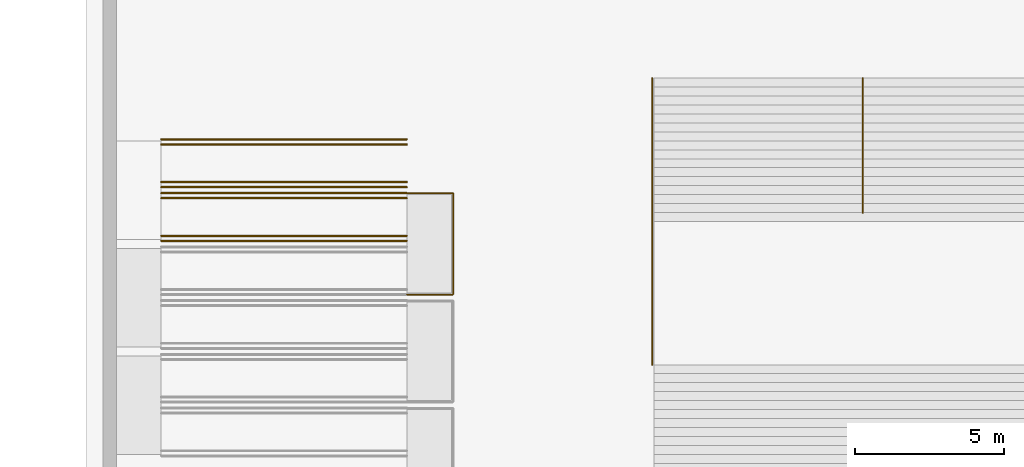
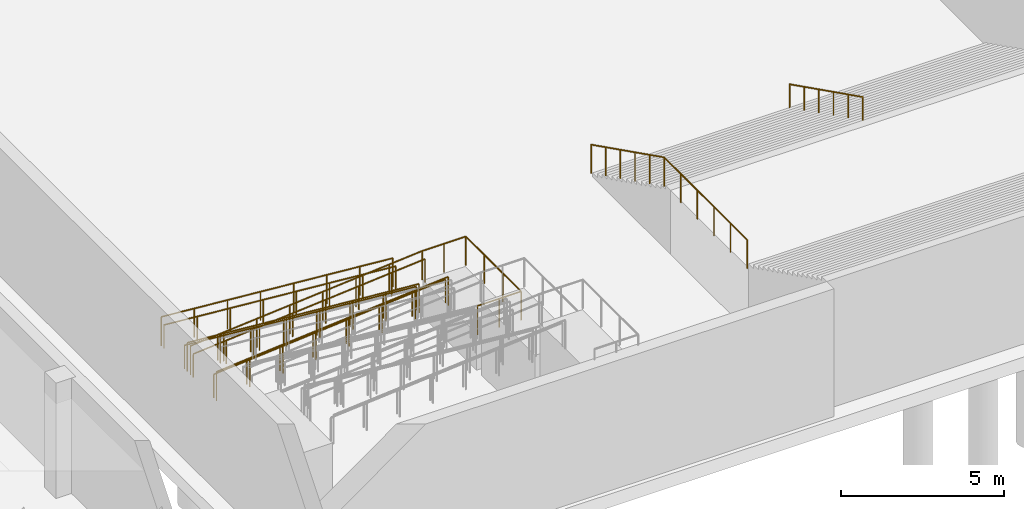
# One storey, part 12 of 21: 12 railings.
"""IFC4 building model written with IfcOpenShell, lengths in metres."""

from ifc_helpers import new_model, si_unit, direction, frame, origin, origin_2d, place, context, subcontext, project, spatial, circle, extrude, material, type_object, element, save


model = new_model("IFC4")

# Units and contexts
model_context = context("Model", 3, precision=1e-05, world=origin(), true_north=direction((0.0, 1.0)))
body_context = subcontext(model_context, "Body", "Model", "MODEL_VIEW")
ifc_project = project(units=[si_unit("LENGTHUNIT", "METRE"), si_unit("AREAUNIT", "SQUARE_METRE"), si_unit("VOLUMEUNIT", "CUBIC_METRE"), si_unit("PLANEANGLEUNIT", "RADIAN"), si_unit("MASSUNIT", "GRAM", prefix="KILO")], contexts=[model_context])

# Site, building, storey
site_placement = place(None, origin())
site = spatial("IfcSite", under=ifc_project, at=site_placement, CompositionType="ELEMENT")
building_placement = place(site_placement, origin())
building = spatial("IfcBuilding", under=site, at=building_placement, Name="Lantern Court Media Centre", CompositionType="ELEMENT")
storey_placement = place(building_placement, frame((0.0, 0.0, -4.800048828125)))
storey = spatial("IfcBuildingStorey", under=building, at=storey_placement, Name="B1", CompositionType="ELEMENT", Elevation=-4.800048828125)

# Railings
ifc_material = material(Name="Steel, galvanised", Category="steel")
railing_type_1 = type_object("IfcRailingType", Name="Forecourt guard 1100", PredefinedType="GUARDRAIL", material=ifc_material)
railing_1_placement = place(storey_placement, frame((53.949951171875, 22.39990234375, 0.150146484375)))
element("IfcRailing", 1, at=railing_1_placement, inside=storey, type_object=railing_type_1, Name="Steps guard, lower flight", PredefinedType="GUARDRAIL", context=body_context, shape_type="SweptSolid", body=[
    extrude(circle(Radius=0.02392578125, at=origin_2d()), frame((0.0, 0.0, 1.076171875), z_axis=(0.0, -0.894427191, 0.4472135955), x_axis=(1.0, 0.0, 0.0)), (0.0, 0.0, 1.0), 5.03125),
    extrude(circle(Radius=0.02099609375, at=origin_2d()), origin(), (0.0, 0.0, 1.0), 1.052001953125),
    extrude(circle(Radius=0.02099609375, at=origin_2d()), frame((0.0, -0.89990234375, 0.449951171875)), (0.0, 0.0, 1.0), 1.052001953125),
    extrude(circle(Radius=0.02099609375, at=origin_2d()), frame((0.0, -1.800048828125, 0.89990234375)), (0.0, 0.0, 1.0), 1.052001953125),
    extrude(circle(Radius=0.02099609375, at=origin_2d()), frame((0.0, -2.699951171875, 1.35009765625)), (0.0, 0.0, 1.0), 1.052001953125),
    extrude(circle(Radius=0.02099609375, at=origin_2d()), frame((0.0, -3.60009765625, 1.800048828125)), (0.0, 0.0, 1.0), 1.052001953125),
    extrude(circle(Radius=0.02099609375, at=origin_2d()), frame((0.0, -4.5, 2.25)), (0.0, 0.0, 1.0), 1.052001953125),
])
railing_2_placement = place(storey_placement, frame((53.949951171875, 17.89990234375, 2.400146484375)))
element("IfcRailing", 2, at=railing_2_placement, inside=storey, type_object=railing_type_1, Name="Steps guard, landing", PredefinedType="GUARDRAIL", context=body_context, shape_type="SweptSolid", body=[
    extrude(circle(Radius=0.02392578125, at=origin_2d()), frame((0.0, 0.0, 1.076171875), z_axis=(0.0, -1.0, 0.0), x_axis=(1.0, 0.0, 0.0)), (0.0, 0.0, 1.0), 5.099853515625),
    extrude(circle(Radius=0.02099609375, at=origin_2d()), origin(), (0.0, 0.0, 1.0), 1.052001953125),
    extrude(circle(Radius=0.02099609375, at=origin_2d()), frame((0.0, -1.02001953125, 0.0)), (0.0, 0.0, 1.0), 1.052001953125),
    extrude(circle(Radius=0.02099609375, at=origin_2d()), frame((0.0, -2.0400390625, 0.0)), (0.0, 0.0, 1.0), 1.052001953125),
    extrude(circle(Radius=0.02099609375, at=origin_2d()), frame((0.0, -3.059814453125, 0.0)), (0.0, 0.0, 1.0), 1.052001953125),
    extrude(circle(Radius=0.02099609375, at=origin_2d()), frame((0.0, -4.079833984375, 0.0)), (0.0, 0.0, 1.0), 1.052001953125),
    extrude(circle(Radius=0.02099609375, at=origin_2d()), frame((0.0, -5.099853515625, 0.0)), (0.0, 0.0, 1.0), 1.052001953125),
])
for number, where, name in (
    (3, (45.728515625, 16.949951171875, 1.371337890625), "Ramp 6 guard S"),
    (4, (45.728515625, 18.550048828125, 1.371337890625), "Ramp 6 guard N"),
):
    element("IfcRailing", number, at=place(storey_placement, frame(where)), inside=storey, type_object=railing_type_1, Name=name, PredefinedType="GUARDRAIL", context=body_context, shape_type="SweptSolid", body=[
        extrude(circle(Radius=0.02392578125, at=origin_2d()), frame((0.0, 0.0, 1.076171875), z_axis=(-0.99654738937, 0.0, -0.083025904028), x_axis=(0.0, -1.0, 0.0)), (0.0, 0.0, 1.0), 8.257080078125),
        extrude(circle(Radius=0.02099609375, at=origin_2d()), origin(), (0.0, 0.0, 1.0), 1.052001953125),
        extrude(circle(Radius=0.02099609375, at=origin_2d()), frame((-1.175537109375, 0.0, -0.097900390625)), (0.0, 0.0, 1.0), 1.052001953125),
        extrude(circle(Radius=0.02099609375, at=origin_2d()), frame((-2.35107421875, 0.0, -0.19580078125)), (0.0, 0.0, 1.0), 1.052001953125),
        extrude(circle(Radius=0.02099609375, at=origin_2d()), frame((-3.526611328125, 0.0, -0.293701171875)), (0.0, 0.0, 1.0), 1.052001953125),
        extrude(circle(Radius=0.02099609375, at=origin_2d()), frame((-4.701904296875, 0.0, -0.391845703125)), (0.0, 0.0, 1.0), 1.052001953125),
        extrude(circle(Radius=0.02099609375, at=origin_2d()), frame((-5.87744140625, 0.0, -0.48974609375)), (0.0, 0.0, 1.0), 1.052001953125),
        extrude(circle(Radius=0.02099609375, at=origin_2d()), frame((-7.052978515625, 0.0, -0.587646484375)), (0.0, 0.0, 1.0), 1.052001953125),
        extrude(circle(Radius=0.02099609375, at=origin_2d()), frame((-8.228515625, 0.0, -0.685546875)), (0.0, 0.0, 1.0), 1.052001953125),
    ])
for number, where, name in (
    (5, (37.5, 18.75, 0.685791015625), "Ramp 7 guard S"),
    (6, (37.5, 20.35009765625, 0.685791015625), "Ramp 7 guard N"),
):
    element("IfcRailing", number, at=place(storey_placement, frame(where)), inside=storey, type_object=railing_type_1, Name=name, PredefinedType="GUARDRAIL", context=body_context, shape_type="SweptSolid", body=[
        extrude(circle(Radius=0.02392578125, at=origin_2d()), frame((0.0, 0.0, 1.076171875), z_axis=(0.996644562738, 0.0, -0.081851179375), x_axis=(0.0, 1.0, 0.0)), (0.0, 0.0, 1.0), 8.256103515625),
        extrude(circle(Radius=0.02099609375, at=origin_2d()), origin(), (0.0, 0.0, 1.0), 1.052001953125),
        extrude(circle(Radius=0.02099609375, at=origin_2d()), frame((1.175537109375, 0.0, -0.096435546875)), (0.0, 0.0, 1.0), 1.052001953125),
        extrude(circle(Radius=0.02099609375, at=origin_2d()), frame((2.35107421875, 0.0, -0.193115234375)), (0.0, 0.0, 1.0), 1.052001953125),
        extrude(circle(Radius=0.02099609375, at=origin_2d()), frame((3.526611328125, 0.0, -0.28955078125)), (0.0, 0.0, 1.0), 1.052001953125),
        extrude(circle(Radius=0.02099609375, at=origin_2d()), frame((4.701904296875, 0.0, -0.38623046875)), (0.0, 0.0, 1.0), 1.052001953125),
        extrude(circle(Radius=0.02099609375, at=origin_2d()), frame((5.87744140625, 0.0, -0.482666015625)), (0.0, 0.0, 1.0), 1.052001953125),
        extrude(circle(Radius=0.02099609375, at=origin_2d()), frame((7.052978515625, 0.0, -0.579345703125)), (0.0, 0.0, 1.0), 1.052001953125),
        extrude(circle(Radius=0.02099609375, at=origin_2d()), frame((8.228515625, 0.0, -0.67578125)), (0.0, 0.0, 1.0), 1.052001953125),
    ])
railing_3_placement = place(storey_placement, frame((45.728515625, 15.14990234375, 1.371337890625)))
element("IfcRailing", 7, at=railing_3_placement, inside=storey, type_object=railing_type_1, Name="Ramp landing L5 guard", PredefinedType="GUARDRAIL", context=body_context, shape_type="SweptSolid", body=[
    extrude(circle(Radius=0.02392578125, at=origin_2d()), frame((0.0, 0.0, 1.076171875), z_axis=(1.0, 0.0, 0.0), x_axis=(0.0, 1.0, 0.0)), (0.0, 0.0, 1.0), 1.550048828125),
    extrude(circle(Radius=0.02392578125, at=origin_2d()), frame((1.550048828125, 0.0, 1.076171875), z_axis=(0.0, 1.0, 0.0), x_axis=(-1.0, 0.0, 0.0)), (0.0, 0.0, 1.0), 3.400146484375),
    extrude(circle(Radius=0.02392578125, at=origin_2d()), frame((1.550048828125, 3.400146484375, 1.076171875), z_axis=(-1.0, 0.0, 0.0), x_axis=(0.0, -1.0, 0.0)), (0.0, 0.0, 1.0), 1.550048828125),
    extrude(circle(Radius=0.02099609375, at=origin_2d()), origin(), (0.0, 0.0, 1.0), 1.052001953125),
    extrude(circle(Radius=0.02099609375, at=origin_2d()), frame((0.77490234375, 0.0, 0.0)), (0.0, 0.0, 1.0), 1.052001953125),
    extrude(circle(Radius=0.02099609375, at=origin_2d()), frame((1.550048828125, 0.0, 0.0)), (0.0, 0.0, 1.0), 1.052001953125),
    extrude(circle(Radius=0.02099609375, at=origin_2d()), frame((1.550048828125, 1.13330078125, 0.0)), (0.0, 0.0, 1.0), 1.052001953125),
    extrude(circle(Radius=0.02099609375, at=origin_2d()), frame((1.550048828125, 2.266845703125, 0.0)), (0.0, 0.0, 1.0), 1.052001953125),
    extrude(circle(Radius=0.02099609375, at=origin_2d()), frame((1.550048828125, 3.400146484375, 0.0)), (0.0, 0.0, 1.0), 1.052001953125),
    extrude(circle(Radius=0.02099609375, at=origin_2d()), frame((0.77490234375, 3.400146484375, 0.0)), (0.0, 0.0, 1.0), 1.052001953125),
    extrude(circle(Radius=0.02099609375, at=origin_2d()), frame((0.0, 3.400146484375, 0.0)), (0.0, 0.0, 1.0), 1.052001953125),
])
railing_type_2 = type_object("IfcRailingType", Name="Forecourt handrail 900", PredefinedType="HANDRAIL", material=ifc_material)
railing_4_placement = place(storey_placement, frame((61.0, 22.39990234375, 0.150146484375)))
element("IfcRailing", 8, at=railing_4_placement, inside=storey, type_object=railing_type_2, Name="Steps centre handrail, lower flight", PredefinedType="HANDRAIL", context=body_context, shape_type="SweptSolid", body=[
    extrude(circle(Radius=0.02392578125, at=origin_2d()), frame((0.0, 0.0, 0.8759765625), z_axis=(0.0, -0.894427191, 0.4472135955), x_axis=(1.0, 0.0, 0.0)), (0.0, 0.0, 1.0), 5.03125),
    extrude(circle(Radius=0.02099609375, at=origin_2d()), origin(), (0.0, 0.0, 1.0), 0.851806640625),
    extrude(circle(Radius=0.02099609375, at=origin_2d()), frame((0.0, -0.89990234375, 0.449951171875)), (0.0, 0.0, 1.0), 0.851806640625),
    extrude(circle(Radius=0.02099609375, at=origin_2d()), frame((0.0, -1.800048828125, 0.89990234375)), (0.0, 0.0, 1.0), 0.851806640625),
    extrude(circle(Radius=0.02099609375, at=origin_2d()), frame((0.0, -2.699951171875, 1.35009765625)), (0.0, 0.0, 1.0), 0.851806640625),
    extrude(circle(Radius=0.02099609375, at=origin_2d()), frame((0.0, -3.60009765625, 1.800048828125)), (0.0, 0.0, 1.0), 0.851806640625),
    extrude(circle(Radius=0.02099609375, at=origin_2d()), frame((0.0, -4.5, 2.25)), (0.0, 0.0, 1.0), 0.851806640625),
])
for number, where, name in (
    (9, (45.728515625, 17.1201171875, 1.371337890625), "Ramp 6 handrail a"),
    (10, (45.728515625, 18.3798828125, 1.371337890625), "Ramp 6 handrail b"),
):
    element("IfcRailing", number, at=place(storey_placement, frame(where)), inside=storey, type_object=railing_type_2, Name=name, PredefinedType="HANDRAIL", context=body_context, shape_type="SweptSolid", body=[
        extrude(circle(Radius=0.02392578125, at=origin_2d()), frame((0.0, 0.0, 0.8759765625), z_axis=(-0.99654738937, 0.0, -0.083025904028), x_axis=(0.0, -1.0, 0.0)), (0.0, 0.0, 1.0), 8.257080078125),
        extrude(circle(Radius=0.02099609375, at=origin_2d()), origin(), (0.0, 0.0, 1.0), 0.851806640625),
        extrude(circle(Radius=0.02099609375, at=origin_2d()), frame((-1.175537109375, 0.0, -0.097900390625)), (0.0, 0.0, 1.0), 0.851806640625),
        extrude(circle(Radius=0.02099609375, at=origin_2d()), frame((-2.35107421875, 0.0, -0.19580078125)), (0.0, 0.0, 1.0), 0.851806640625),
        extrude(circle(Radius=0.02099609375, at=origin_2d()), frame((-3.526611328125, 0.0, -0.293701171875)), (0.0, 0.0, 1.0), 0.851806640625),
        extrude(circle(Radius=0.02099609375, at=origin_2d()), frame((-4.701904296875, 0.0, -0.391845703125)), (0.0, 0.0, 1.0), 0.851806640625),
        extrude(circle(Radius=0.02099609375, at=origin_2d()), frame((-5.87744140625, 0.0, -0.48974609375)), (0.0, 0.0, 1.0), 0.851806640625),
        extrude(circle(Radius=0.02099609375, at=origin_2d()), frame((-7.052978515625, 0.0, -0.587646484375)), (0.0, 0.0, 1.0), 0.851806640625),
        extrude(circle(Radius=0.02099609375, at=origin_2d()), frame((-8.228515625, 0.0, -0.685546875)), (0.0, 0.0, 1.0), 0.851806640625),
    ])
for number, where, name in (
    (11, (37.5, 18.919921875, 0.685791015625), "Ramp 7 handrail a"),
    (12, (37.5, 20.179931640625, 0.685791015625), "Ramp 7 handrail b"),
):
    element("IfcRailing", number, at=place(storey_placement, frame(where)), inside=storey, type_object=railing_type_2, Name=name, PredefinedType="HANDRAIL", context=body_context, shape_type="SweptSolid", body=[
        extrude(circle(Radius=0.02392578125, at=origin_2d()), frame((0.0, 0.0, 0.8759765625), z_axis=(0.996644562738, 0.0, -0.081851179375), x_axis=(0.0, 1.0, 0.0)), (0.0, 0.0, 1.0), 8.256103515625),
        extrude(circle(Radius=0.02099609375, at=origin_2d()), origin(), (0.0, 0.0, 1.0), 0.851806640625),
        extrude(circle(Radius=0.02099609375, at=origin_2d()), frame((1.175537109375, 0.0, -0.096435546875)), (0.0, 0.0, 1.0), 0.851806640625),
        extrude(circle(Radius=0.02099609375, at=origin_2d()), frame((2.35107421875, 0.0, -0.193115234375)), (0.0, 0.0, 1.0), 0.851806640625),
        extrude(circle(Radius=0.02099609375, at=origin_2d()), frame((3.526611328125, 0.0, -0.28955078125)), (0.0, 0.0, 1.0), 0.851806640625),
        extrude(circle(Radius=0.02099609375, at=origin_2d()), frame((4.701904296875, 0.0, -0.38623046875)), (0.0, 0.0, 1.0), 0.851806640625),
        extrude(circle(Radius=0.02099609375, at=origin_2d()), frame((5.87744140625, 0.0, -0.482666015625)), (0.0, 0.0, 1.0), 0.851806640625),
        extrude(circle(Radius=0.02099609375, at=origin_2d()), frame((7.052978515625, 0.0, -0.579345703125)), (0.0, 0.0, 1.0), 0.851806640625),
        extrude(circle(Radius=0.02099609375, at=origin_2d()), frame((8.228515625, 0.0, -0.67578125)), (0.0, 0.0, 1.0), 0.851806640625),
    ])

save(model, "model.ifc")
